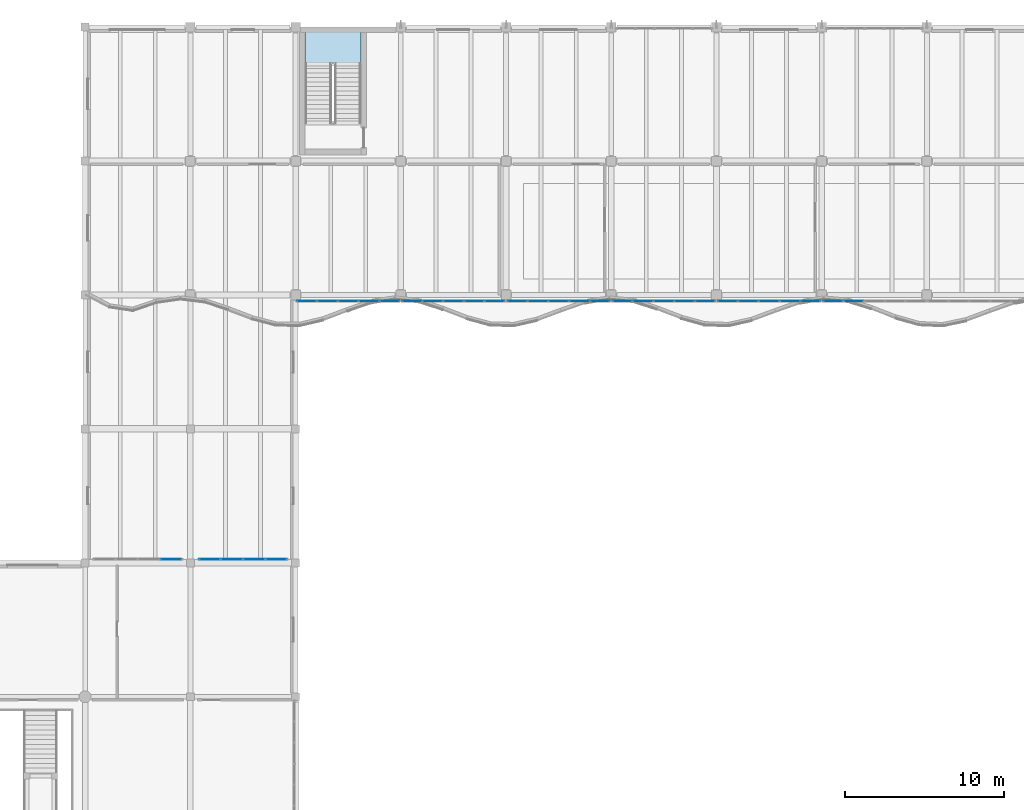
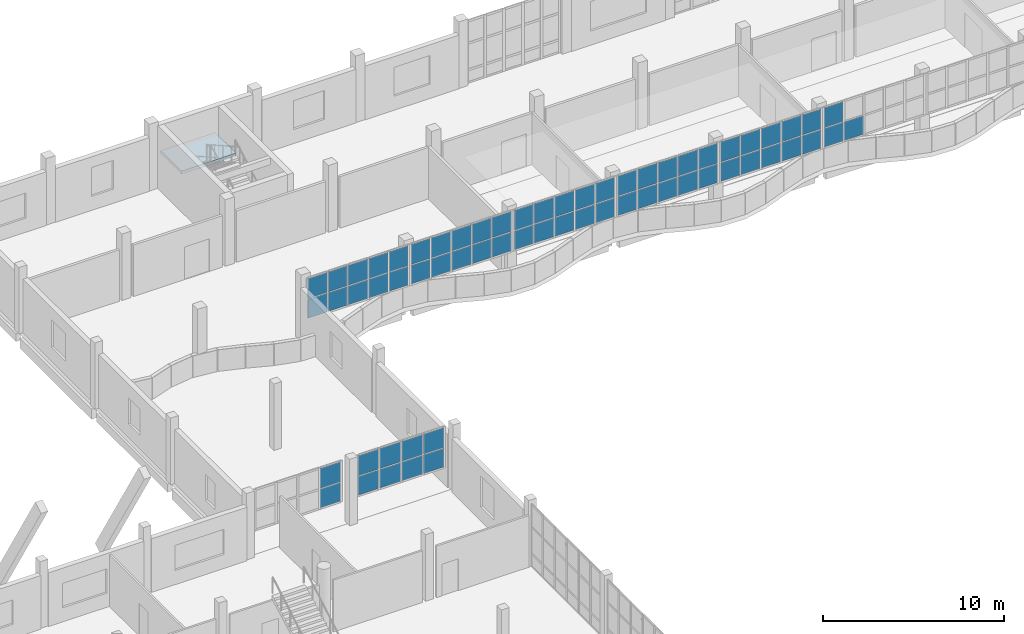
# One storey, part 33 of 76: 63 plates, 1 slab, 9 elements without a shape of their own.
"""IFC4 building model written with IfcOpenShell, lengths in metres."""

import ifcopenshell
import ifcopenshell.guid

model = None  # the IFC model being written
_history = None  # IfcOwnerHistory: only IFC2X3 demands one
_inside = {}  # id of a spatial element -> (the spatial element, [elements in it])
_under = {}  # id of a project, library or spatial element -> (it, [spatial elements below it])
_declared = {}  # id of a project -> (the project, [libraries it declares])
_typed = {}  # id of a type object -> (the type object, [elements of that type])
_made_of = {}  # id of a material, layer set ... -> (it, [elements and type objects made of it])


def new_model(schema):
    """Start an empty IFC model of exactly this schema.

    Asked for "IFC4X3", IfcOpenShell would pick the latest addendum, in which some entities
    have other attributes; the version numbers below select the first issue.
    IFC2X3 requires an IfcOwnerHistory on every rooted entity: one is made here for all.
    """
    global model, _history
    if schema == "IFC4X3":
        model = ifcopenshell.file(schema_version=(4, 3, 0, 0))
    else:
        model = ifcopenshell.file(schema=schema)
    _inside.clear()
    _under.clear()
    _declared.clear()
    _typed.clear()
    _made_of.clear()
    _history = None
    if model.schema == "IFC2X3":
        org = make("IfcOrganization", Name="unknown")
        user = make(
            "IfcPersonAndOrganization",
            ThePerson=make("IfcPerson", FamilyName="unknown"),
            TheOrganization=org,
        )
        app = make(
            "IfcApplication",
            ApplicationDeveloper=org,
            Version="unknown",
            ApplicationFullName="unknown",
            ApplicationIdentifier="unknown",
        )
        _history = make(
            "IfcOwnerHistory",
            OwningUser=user,
            OwningApplication=app,
            ChangeAction="ADDED",
            CreationDate=0,
        )
    return model


def make(cls, **values):
    """One entity of the class cls with the attributes given. An attribute that is None is left unset."""
    return model.create_entity(
        cls, **{name: value for name, value in values.items() if value is not None}
    )


def rooted(cls, **values):
    """An entity with a GlobalId (a new one), such as an element, a storey or a relation."""
    return make(cls, GlobalId=ifcopenshell.guid.new(), OwnerHistory=_history, **values)


def si_unit(unit_type, name, prefix=None):
    """IfcSIUnit, for example si_unit("LENGTHUNIT", "METRE", prefix="MILLI")."""
    return make("IfcSIUnit", UnitType=unit_type, Prefix=prefix, Name=name)


def assignment(units):
    """IfcUnitAssignment: the units of a project."""
    return None if units is None else make("IfcUnitAssignment", Units=units)


def point(xyz):
    """IfcCartesianPoint."""
    return None if xyz is None else make("IfcCartesianPoint", Coordinates=xyz)


def direction(xyz):
    """IfcDirection."""
    return None if xyz is None else make("IfcDirection", DirectionRatios=xyz)


def frame(location, z_axis=None, x_axis=None):
    """IfcAxis2Placement3D, a coordinate frame: its origin and axes. An axis left out is left unset."""
    return make(
        "IfcAxis2Placement3D",
        Location=point(location),
        Axis=direction(z_axis),
        RefDirection=direction(x_axis),
    )


def frame_2d(location, x_axis=None):
    """IfcAxis2Placement2D, a coordinate frame in the plane: its origin and x axis."""
    return make(
        "IfcAxis2Placement2D", Location=point(location), RefDirection=direction(x_axis)
    )


def origin():
    """The frame at (0, 0, 0) with its axes left unset."""
    return frame((0.0, 0.0, 0.0))


def origin_2d():
    """The frame at (0, 0) in the plane with its x axis left unset."""
    return frame_2d((0.0, 0.0))


def place(relative_to, where):
    """IfcLocalPlacement: puts the frame where relative to a parent placement (None: the world)."""
    return make(
        "IfcLocalPlacement", PlacementRelTo=relative_to, RelativePlacement=where
    )


def context(
    kind, dimensions, precision=None, world=None, true_north=None, identifier=None
):
    """IfcGeometricRepresentationContext, for example the 3D "Model" context."""
    return make(
        "IfcGeometricRepresentationContext",
        ContextIdentifier=identifier,
        ContextType=kind,
        CoordinateSpaceDimension=dimensions,
        Precision=precision,
        WorldCoordinateSystem=world,
        TrueNorth=true_north,
    )


def subcontext(parent, identifier, kind, view, scale=None):
    """IfcGeometricRepresentationSubContext, for example "Body" below "Model"."""
    return make(
        "IfcGeometricRepresentationSubContext",
        ContextIdentifier=identifier,
        ContextType=kind,
        ParentContext=parent,
        TargetScale=scale,
        TargetView=view,
    )


def project(units=None, contexts=None):
    """IfcProject with its units and contexts."""
    return rooted(
        "IfcProject",
        Name="project",
        RepresentationContexts=contexts,
        UnitsInContext=assignment(units),
    )


def spatial(cls, under=None, at=None, **own):
    """A site, building, storey or space (cls), placed at a placement, below another one or the project."""
    s = rooted(cls, ObjectPlacement=at, **own)
    if under is not None:
        _under.setdefault(under.id(), (under, []))[1].append(s)
    return s


def polyline(points):
    """IfcPolyline through the points."""
    return make("IfcPolyline", Points=[point(p) for p in points])


def profile(cls, at=None, kind="AREA", **sizes):
    """A parametric profile (cls). Its sizes go by their IFC names, for example OverallWidth=200.0."""
    return make(cls, ProfileType=kind, Position=at, **sizes)


def rectangle(**sizes):
    """IfcRectangleProfileDef."""
    return profile("IfcRectangleProfileDef", **sizes)


def outline(outer, holes=None, kind="AREA"):
    """IfcArbitraryClosedProfileDef: a profile drawn as a closed curve; with holes, ...WithVoids."""
    if holes is None:
        return make("IfcArbitraryClosedProfileDef", ProfileType=kind, OuterCurve=outer)
    return make(
        "IfcArbitraryProfileDefWithVoids",
        ProfileType=kind,
        OuterCurve=outer,
        InnerCurves=holes,
    )


def extrude(swept, where, along, depth):
    """IfcExtrudedAreaSolid: the profile swept, set in the frame where, extruded along a direction by depth."""
    return make(
        "IfcExtrudedAreaSolid",
        SweptArea=swept,
        Position=where,
        ExtrudedDirection=direction(along),
        Depth=depth,
    )


def shape(context_of_items, identifier, shape_type, items):
    """IfcShapeRepresentation: the items that make up one representation, for example the "Body"."""
    return make(
        "IfcShapeRepresentation",
        ContextOfItems=context_of_items,
        RepresentationIdentifier=identifier,
        RepresentationType=shape_type,
        Items=items,
    )


def material(Name=None, Category=None):
    """IfcMaterial."""
    return make("IfcMaterial", Name=Name, Category=Category)


def layer(
    of_material, thickness, ventilated=None, Name=None, Category=None, Priority=None
):
    """IfcMaterialLayer: one layer of a wall or slab, of a material (None: an air gap)."""
    return make(
        "IfcMaterialLayer",
        Material=of_material,
        LayerThickness=thickness,
        IsVentilated=ventilated,
        Name=Name,
        Category=Category,
        Priority=Priority,
    )


def layer_set(layers, Name=None):
    """IfcMaterialLayerSet."""
    return make("IfcMaterialLayerSet", MaterialLayers=layers, LayerSetName=Name)


def made_of(thing, what):
    """Note that an element or type object is made of a material, layer set ...; save() writes the relation."""
    if what is not None:
        _made_of.setdefault(what.id(), (what, []))[1].append(thing)
    return thing


def type_object(cls, material=None, **own):
    """A type object (cls), such as IfcWallType, which elements share."""
    return made_of(rooted(cls, **own), material)


def element(
    cls,
    number,
    at=None,
    inside=None,
    cuts=None,
    type_object=None,
    material=None,
    context=None,
    identifier="Body",
    shape_type=None,
    held_by="IfcProductDefinitionShape",
    body=None,
    shapes=None,
    **own,
):
    """One element of the class cls, such as IfcWall. Its Tag is "e" and its number.

    at: its placement. inside: the storey or other place that contains it. cuts: it is an
    opening in that element (IfcRelVoidsElement). A single representation is given by context,
    identifier, shape_type and body (its items); several are given by shapes. held_by: the class
    of the entity that holds the representations. save() writes the other relations.
    """
    e = rooted(cls, Tag="e%d" % number, ObjectPlacement=at, **own)
    if body is not None:
        shapes = [shape(context, identifier, shape_type, body)]
    if shapes is not None:
        e.Representation = make(held_by, Representations=shapes)
    if inside is not None:
        _inside.setdefault(inside.id(), (inside, []))[1].append(e)
    if cuts is not None:
        rooted(
            "IfcRelVoidsElement", RelatingBuildingElement=cuts, RelatedOpeningElement=e
        )
    if type_object is not None:
        _typed.setdefault(type_object.id(), (type_object, []))[1].append(e)
    return made_of(e, material)


def aggregate(whole, parts):
    """IfcRelAggregates: a whole, such as a stair, and the parts it consists of."""
    return rooted("IfcRelAggregates", RelatingObject=whole, RelatedObjects=parts)


def save(model, path):
    """Write the relations noted so far, then the file.

    IfcRelAggregates (storeys below a building ...), IfcRelContainedInSpatialStructure (elements
    in a storey), IfcRelDefinesByType, IfcRelAssociatesMaterial and IfcRelDeclares: one each for
    every whole, place, type object, material and project.
    """
    for whole, parts in _under.values():
        aggregate(whole, parts)
    for where, things in _inside.values():
        rooted(
            "IfcRelContainedInSpatialStructure",
            RelatedElements=things,
            RelatingStructure=where,
        )
    for kind, things in _typed.values():
        rooted("IfcRelDefinesByType", RelatedObjects=things, RelatingType=kind)
    for what, things in _made_of.values():
        rooted("IfcRelAssociatesMaterial", RelatedObjects=things, RelatingMaterial=what)
    for by, libraries in _declared.values():
        rooted("IfcRelDeclares", RelatingContext=by, RelatedDefinitions=libraries)
    model.write(path)


model = new_model("IFC4")

# Units and contexts
model_context = context("Model", 3, precision=1e-05, world=origin(), true_north=direction((0.0, 1.0)))
body_context = subcontext(model_context, "Body", "Model", "MODEL_VIEW")
ifc_project = project(units=[si_unit("LENGTHUNIT", "METRE"), si_unit("AREAUNIT", "SQUARE_METRE"), si_unit("VOLUMEUNIT", "CUBIC_METRE"), si_unit("PLANEANGLEUNIT", "RADIAN"), si_unit("MASSUNIT", "GRAM", prefix="KILO")], contexts=[model_context])

# Site, building, storey
site_placement = place(None, origin())
site = spatial("IfcSite", under=ifc_project, at=site_placement, CompositionType="ELEMENT")
building_placement = place(site_placement, origin())
building = spatial("IfcBuilding", under=site, at=building_placement, Name="Qaldarim Faculty of Natural and Applied Sciences", CompositionType="ELEMENT")
storey_placement = place(building_placement, frame((0.0, 0.0, 9.89990234375)))
storey = spatial("IfcBuildingStorey", under=building, at=storey_placement, Name="L02", CompositionType="ELEMENT", Elevation=9.89990234375)

# Stair, slab
ifc_material_1 = material(Name="Concrete C40/50", Category="concrete")
stair_type = type_object("IfcStairType", Name="DoglegStair-W1650-H4500-28R", PredefinedType="HALF_TURN_STAIR", material=ifc_material_1)
stair_placement = place(storey_placement, origin())
stair = element("IfcStair", 1, at=stair_placement, inside=storey, type_object=stair_type, Name="Enclosed exit stair ST-B2 L02", PredefinedType="HALF_TURN_STAIR")
ifc_layer_1 = layer(ifc_material_1, 0.2099609375)
ifc_layer_set_1 = layer_set([ifc_layer_1], Name="Concrete C40/50")
slab_type = type_object("IfcSlabType", Name="StairLandingSlab-210", PredefinedType="LANDING", material=ifc_layer_set_1)
slab_placement = place(storey_placement, frame((0.0, 0.0, 2.0400390625)))
slab = element("IfcSlab", 2, at=slab_placement, type_object=slab_type, Name="ST-B2 L02 half-landing 1", PredefinedType="LANDING", context=body_context, shape_type="SweptSolid", body=[
    extrude(outline(polyline([(50.300048828125, 115.2900390625), (50.300048828125, 117.60009765625), (46.800048828125, 117.60009765625), (46.800048828125, 115.2900390625), (50.300048828125, 115.2900390625)])), origin(), (0.0, 0.0, 1.0), 0.2099609375),
])
aggregate(stair, [slab])

# Curtain wall, plates
ifc_material_2 = material(Name="Anodised aluminium AW-6063", Category="aluminium")
curtain_wall_type = type_object("IfcCurtainWallType", Name="CurtainWallSystem-M1400", PredefinedType="USERDEFINED", material=ifc_material_2)
curtain_wall_1_placement = place(storey_placement, origin())
curtain_wall_1 = element("IfcCurtainWall", 3, at=curtain_wall_1_placement, inside=storey, type_object=curtain_wall_type, Name="Curtain wall CW-V4RIB-L02-X06", ObjectType="STICK CURTAIN WALL", PredefinedType="USERDEFINED")
ifc_material_3 = material(Name="Insulated low-e double glazing", Category="glass")
ifc_layer_2 = layer(ifc_material_3, 0.028076171875)
ifc_layer_set_2 = layer_set([ifc_layer_2], Name="Insulated low-e double glazing")
plate_type = type_object("IfcPlateType", Name="VisionGlazingPanel-28", PredefinedType="CURTAIN_PANEL", material=ifc_layer_set_2)
plate_1_placement = place(storey_placement, frame((38.385009765625, 84.219970703125, 1.51025390625), z_axis=(0.0, 0.0, 1.0), x_axis=(1.0, 0.0, 0.0)))
plate_1 = element("IfcPlate", 4, at=plate_1_placement, type_object=plate_type, Name="Glazed panel 4-1 of CW-V4RIB-L02-X06", PredefinedType="CURTAIN_PANEL", context=body_context, shape_type="SweptSolid", body=[
    extrude(rectangle(XDim=1.31005859375, YDim=0.028076171875, at=origin_2d()), origin(), (0.0, 0.0, 1.0), 1.260009765625),
])
plate_2_placement = place(storey_placement, frame((38.385009765625, 84.219970703125, 2.830078125), z_axis=(0.0, 0.0, 1.0), x_axis=(1.0, 0.0, 0.0)))
plate_2 = element("IfcPlate", 5, at=plate_2_placement, type_object=plate_type, Name="Glazed panel 4-2 of CW-V4RIB-L02-X06", PredefinedType="CURTAIN_PANEL", context=body_context, shape_type="SweptSolid", body=[
    extrude(rectangle(XDim=1.31005859375, YDim=0.028076171875, at=origin_2d()), origin(), (0.0, 0.0, 1.0), 1.35009765625),
])
aggregate(curtain_wall_1, [plate_1, plate_2])

curtain_wall_2_placement = place(storey_placement, origin())
curtain_wall_2 = element("IfcCurtainWall", 6, at=curtain_wall_2_placement, inside=storey, type_object=curtain_wall_type, Name="Curtain wall CW-V4RIB-L02-X07", ObjectType="STICK CURTAIN WALL", PredefinedType="USERDEFINED")
plate_3_placement = place(storey_placement, frame((40.81494140625, 84.219970703125, 1.51025390625), z_axis=(0.0, 0.0, 1.0), x_axis=(1.0, 0.0, 0.0)))
plate_3 = element("IfcPlate", 7, at=plate_3_placement, type_object=plate_type, Name="Glazed panel 1-1 of CW-V4RIB-L02-X07", PredefinedType="CURTAIN_PANEL", context=body_context, shape_type="SweptSolid", body=[
    extrude(rectangle(XDim=1.31005859375, YDim=0.028076171875, at=origin_2d()), origin(), (0.0, 0.0, 1.0), 1.260009765625),
])
plate_4_placement = place(storey_placement, frame((40.81494140625, 84.219970703125, 2.830078125), z_axis=(0.0, 0.0, 1.0), x_axis=(1.0, 0.0, 0.0)))
plate_4 = element("IfcPlate", 8, at=plate_4_placement, type_object=plate_type, Name="Glazed panel 1-2 of CW-V4RIB-L02-X07", PredefinedType="CURTAIN_PANEL", context=body_context, shape_type="SweptSolid", body=[
    extrude(rectangle(XDim=1.31005859375, YDim=0.028076171875, at=origin_2d()), origin(), (0.0, 0.0, 1.0), 1.35009765625),
])
plate_5_placement = place(storey_placement, frame((42.199951171875, 84.219970703125, 1.51025390625), z_axis=(0.0, 0.0, 1.0), x_axis=(1.0, 0.0, 0.0)))
plate_5 = element("IfcPlate", 9, at=plate_5_placement, type_object=plate_type, Name="Glazed panel 2-1 of CW-V4RIB-L02-X07", PredefinedType="CURTAIN_PANEL", context=body_context, shape_type="SweptSolid", body=[
    extrude(rectangle(XDim=1.340087890625, YDim=0.028076171875, at=origin_2d()), origin(), (0.0, 0.0, 1.0), 1.260009765625),
])
plate_6_placement = place(storey_placement, frame((42.199951171875, 84.219970703125, 2.830078125), z_axis=(0.0, 0.0, 1.0), x_axis=(1.0, 0.0, 0.0)))
plate_6 = element("IfcPlate", 10, at=plate_6_placement, type_object=plate_type, Name="Glazed panel 2-2 of CW-V4RIB-L02-X07", PredefinedType="CURTAIN_PANEL", context=body_context, shape_type="SweptSolid", body=[
    extrude(rectangle(XDim=1.340087890625, YDim=0.028076171875, at=origin_2d()), origin(), (0.0, 0.0, 1.0), 1.35009765625),
])
plate_7_placement = place(storey_placement, frame((43.60009765625, 84.219970703125, 1.51025390625), z_axis=(0.0, 0.0, 1.0), x_axis=(1.0, 0.0, 0.0)))
plate_7 = element("IfcPlate", 11, at=plate_7_placement, type_object=plate_type, Name="Glazed panel 3-1 of CW-V4RIB-L02-X07", PredefinedType="CURTAIN_PANEL", context=body_context, shape_type="SweptSolid", body=[
    extrude(rectangle(XDim=1.340087890625, YDim=0.028076171875, at=origin_2d()), origin(), (0.0, 0.0, 1.0), 1.260009765625),
])
plate_8_placement = place(storey_placement, frame((43.60009765625, 84.219970703125, 2.830078125), z_axis=(0.0, 0.0, 1.0), x_axis=(1.0, 0.0, 0.0)))
plate_8 = element("IfcPlate", 12, at=plate_8_placement, type_object=plate_type, Name="Glazed panel 3-2 of CW-V4RIB-L02-X07", PredefinedType="CURTAIN_PANEL", context=body_context, shape_type="SweptSolid", body=[
    extrude(rectangle(XDim=1.340087890625, YDim=0.028076171875, at=origin_2d()), origin(), (0.0, 0.0, 1.0), 1.35009765625),
])
plate_9_placement = place(storey_placement, frame((44.985107421875, 84.219970703125, 1.51025390625), z_axis=(0.0, 0.0, 1.0), x_axis=(1.0, 0.0, 0.0)))
plate_9 = element("IfcPlate", 13, at=plate_9_placement, type_object=plate_type, Name="Glazed panel 4-1 of CW-V4RIB-L02-X07", PredefinedType="CURTAIN_PANEL", context=body_context, shape_type="SweptSolid", body=[
    extrude(rectangle(XDim=1.31005859375, YDim=0.028076171875, at=origin_2d()), origin(), (0.0, 0.0, 1.0), 1.260009765625),
])
plate_10_placement = place(storey_placement, frame((44.985107421875, 84.219970703125, 2.830078125), z_axis=(0.0, 0.0, 1.0), x_axis=(1.0, 0.0, 0.0)))
plate_10 = element("IfcPlate", 14, at=plate_10_placement, type_object=plate_type, Name="Glazed panel 4-2 of CW-V4RIB-L02-X07", PredefinedType="CURTAIN_PANEL", context=body_context, shape_type="SweptSolid", body=[
    extrude(rectangle(XDim=1.31005859375, YDim=0.028076171875, at=origin_2d()), origin(), (0.0, 0.0, 1.0), 1.35009765625),
])
aggregate(curtain_wall_2, [plate_3, plate_4, plate_5, plate_6, plate_7, plate_8, plate_9, plate_10])

curtain_wall_3_placement = place(storey_placement, origin())
curtain_wall_3 = element("IfcCurtainWall", 15, at=curtain_wall_3_placement, inside=storey, type_object=curtain_wall_type, Name="Curtain wall CW-V4RIB-L02-X08", ObjectType="STICK CURTAIN WALL", PredefinedType="USERDEFINED")
plate_11_placement = place(storey_placement, frame((46.906982421875, 100.419921875, 1.51025390625), z_axis=(0.0, 0.0, 1.0), x_axis=(1.0, 0.0, 0.0)))
plate_11 = element("IfcPlate", 16, at=plate_11_placement, type_object=plate_type, Name="Glazed panel 1-1 of CW-V4RIB-L02-X08", PredefinedType="CURTAIN_PANEL", context=body_context, shape_type="SweptSolid", body=[
    extrude(rectangle(XDim=1.214111328125, YDim=0.028076171875, at=origin_2d()), origin(), (0.0, 0.0, 1.0), 1.260009765625),
])
plate_12_placement = place(storey_placement, frame((46.906982421875, 100.419921875, 2.830078125), z_axis=(0.0, 0.0, 1.0), x_axis=(1.0, 0.0, 0.0)))
plate_12 = element("IfcPlate", 17, at=plate_12_placement, type_object=plate_type, Name="Glazed panel 1-2 of CW-V4RIB-L02-X08", PredefinedType="CURTAIN_PANEL", context=body_context, shape_type="SweptSolid", body=[
    extrude(rectangle(XDim=1.214111328125, YDim=0.028076171875, at=origin_2d()), origin(), (0.0, 0.0, 1.0), 1.35009765625),
])
plate_13_placement = place(storey_placement, frame((48.196044921875, 100.419921875, 1.51025390625), z_axis=(0.0, 0.0, 1.0), x_axis=(1.0, 0.0, 0.0)))
plate_13 = element("IfcPlate", 18, at=plate_13_placement, type_object=plate_type, Name="Glazed panel 2-1 of CW-V4RIB-L02-X08", PredefinedType="CURTAIN_PANEL", context=body_context, shape_type="SweptSolid", body=[
    extrude(rectangle(XDim=1.243896484375, YDim=0.028076171875, at=origin_2d()), origin(), (0.0, 0.0, 1.0), 1.260009765625),
])
plate_14_placement = place(storey_placement, frame((48.196044921875, 100.419921875, 2.830078125), z_axis=(0.0, 0.0, 1.0), x_axis=(1.0, 0.0, 0.0)))
plate_14 = element("IfcPlate", 19, at=plate_14_placement, type_object=plate_type, Name="Glazed panel 2-2 of CW-V4RIB-L02-X08", PredefinedType="CURTAIN_PANEL", context=body_context, shape_type="SweptSolid", body=[
    extrude(rectangle(XDim=1.243896484375, YDim=0.028076171875, at=origin_2d()), origin(), (0.0, 0.0, 1.0), 1.35009765625),
])
plate_15_placement = place(storey_placement, frame((49.5, 100.419921875, 1.51025390625), z_axis=(0.0, 0.0, 1.0), x_axis=(1.0, 0.0, 0.0)))
plate_15 = element("IfcPlate", 20, at=plate_15_placement, type_object=plate_type, Name="Glazed panel 3-1 of CW-V4RIB-L02-X08", PredefinedType="CURTAIN_PANEL", context=body_context, shape_type="SweptSolid", body=[
    extrude(rectangle(XDim=1.243896484375, YDim=0.028076171875, at=origin_2d()), origin(), (0.0, 0.0, 1.0), 1.260009765625),
])
plate_16_placement = place(storey_placement, frame((49.5, 100.419921875, 2.830078125), z_axis=(0.0, 0.0, 1.0), x_axis=(1.0, 0.0, 0.0)))
plate_16 = element("IfcPlate", 21, at=plate_16_placement, type_object=plate_type, Name="Glazed panel 3-2 of CW-V4RIB-L02-X08", PredefinedType="CURTAIN_PANEL", context=body_context, shape_type="SweptSolid", body=[
    extrude(rectangle(XDim=1.243896484375, YDim=0.028076171875, at=origin_2d()), origin(), (0.0, 0.0, 1.0), 1.35009765625),
])
plate_17_placement = place(storey_placement, frame((50.803955078125, 100.419921875, 1.51025390625), z_axis=(0.0, 0.0, 1.0), x_axis=(1.0, 0.0, 0.0)))
plate_17 = element("IfcPlate", 22, at=plate_17_placement, type_object=plate_type, Name="Glazed panel 4-1 of CW-V4RIB-L02-X08", PredefinedType="CURTAIN_PANEL", context=body_context, shape_type="SweptSolid", body=[
    extrude(rectangle(XDim=1.243896484375, YDim=0.028076171875, at=origin_2d()), origin(), (0.0, 0.0, 1.0), 1.260009765625),
])
plate_18_placement = place(storey_placement, frame((50.803955078125, 100.419921875, 2.830078125), z_axis=(0.0, 0.0, 1.0), x_axis=(1.0, 0.0, 0.0)))
plate_18 = element("IfcPlate", 23, at=plate_18_placement, type_object=plate_type, Name="Glazed panel 4-2 of CW-V4RIB-L02-X08", PredefinedType="CURTAIN_PANEL", context=body_context, shape_type="SweptSolid", body=[
    extrude(rectangle(XDim=1.243896484375, YDim=0.028076171875, at=origin_2d()), origin(), (0.0, 0.0, 1.0), 1.35009765625),
])
plate_19_placement = place(storey_placement, frame((52.093017578125, 100.419921875, 1.51025390625), z_axis=(0.0, 0.0, 1.0), x_axis=(1.0, 0.0, 0.0)))
plate_19 = element("IfcPlate", 24, at=plate_19_placement, type_object=plate_type, Name="Glazed panel 5-1 of CW-V4RIB-L02-X08", PredefinedType="CURTAIN_PANEL", context=body_context, shape_type="SweptSolid", body=[
    extrude(rectangle(XDim=1.214111328125, YDim=0.028076171875, at=origin_2d()), origin(), (0.0, 0.0, 1.0), 1.260009765625),
])
plate_20_placement = place(storey_placement, frame((52.093017578125, 100.419921875, 2.830078125), z_axis=(0.0, 0.0, 1.0), x_axis=(1.0, 0.0, 0.0)))
plate_20 = element("IfcPlate", 25, at=plate_20_placement, type_object=plate_type, Name="Glazed panel 5-2 of CW-V4RIB-L02-X08", PredefinedType="CURTAIN_PANEL", context=body_context, shape_type="SweptSolid", body=[
    extrude(rectangle(XDim=1.214111328125, YDim=0.028076171875, at=origin_2d()), origin(), (0.0, 0.0, 1.0), 1.35009765625),
])
aggregate(curtain_wall_3, [plate_11, plate_12, plate_13, plate_14, plate_15, plate_16, plate_17, plate_18, plate_19, plate_20])

curtain_wall_4_placement = place(storey_placement, origin())
curtain_wall_4 = element("IfcCurtainWall", 26, at=curtain_wall_4_placement, inside=storey, type_object=curtain_wall_type, Name="Curtain wall CW-V4RIB-L02-X09", ObjectType="STICK CURTAIN WALL", PredefinedType="USERDEFINED")
plate_21_placement = place(storey_placement, frame((53.507080078125, 100.419921875, 1.51025390625), z_axis=(0.0, 0.0, 1.0), x_axis=(1.0, 0.0, 0.0)))
plate_21 = element("IfcPlate", 27, at=plate_21_placement, type_object=plate_type, Name="Glazed panel 1-1 of CW-V4RIB-L02-X09", PredefinedType="CURTAIN_PANEL", context=body_context, shape_type="SweptSolid", body=[
    extrude(rectangle(XDim=1.214111328125, YDim=0.028076171875, at=origin_2d()), origin(), (0.0, 0.0, 1.0), 1.260009765625),
])
plate_22_placement = place(storey_placement, frame((53.507080078125, 100.419921875, 2.830078125), z_axis=(0.0, 0.0, 1.0), x_axis=(1.0, 0.0, 0.0)))
plate_22 = element("IfcPlate", 28, at=plate_22_placement, type_object=plate_type, Name="Glazed panel 1-2 of CW-V4RIB-L02-X09", PredefinedType="CURTAIN_PANEL", context=body_context, shape_type="SweptSolid", body=[
    extrude(rectangle(XDim=1.214111328125, YDim=0.028076171875, at=origin_2d()), origin(), (0.0, 0.0, 1.0), 1.35009765625),
])
plate_23_placement = place(storey_placement, frame((54.7958984375, 100.419921875, 1.51025390625), z_axis=(0.0, 0.0, 1.0), x_axis=(1.0, 0.0, 0.0)))
plate_23 = element("IfcPlate", 29, at=plate_23_placement, type_object=plate_type, Name="Glazed panel 2-1 of CW-V4RIB-L02-X09", PredefinedType="CURTAIN_PANEL", context=body_context, shape_type="SweptSolid", body=[
    extrude(rectangle(XDim=1.243896484375, YDim=0.028076171875, at=origin_2d()), origin(), (0.0, 0.0, 1.0), 1.260009765625),
])
plate_24_placement = place(storey_placement, frame((54.7958984375, 100.419921875, 2.830078125), z_axis=(0.0, 0.0, 1.0), x_axis=(1.0, 0.0, 0.0)))
plate_24 = element("IfcPlate", 30, at=plate_24_placement, type_object=plate_type, Name="Glazed panel 2-2 of CW-V4RIB-L02-X09", PredefinedType="CURTAIN_PANEL", context=body_context, shape_type="SweptSolid", body=[
    extrude(rectangle(XDim=1.243896484375, YDim=0.028076171875, at=origin_2d()), origin(), (0.0, 0.0, 1.0), 1.35009765625),
])
plate_25_placement = place(storey_placement, frame((56.10009765625, 100.419921875, 1.51025390625), z_axis=(0.0, 0.0, 1.0), x_axis=(1.0, 0.0, 0.0)))
plate_25 = element("IfcPlate", 31, at=plate_25_placement, type_object=plate_type, Name="Glazed panel 3-1 of CW-V4RIB-L02-X09", PredefinedType="CURTAIN_PANEL", context=body_context, shape_type="SweptSolid", body=[
    extrude(rectangle(XDim=1.243896484375, YDim=0.028076171875, at=origin_2d()), origin(), (0.0, 0.0, 1.0), 1.260009765625),
])
plate_26_placement = place(storey_placement, frame((56.10009765625, 100.419921875, 2.830078125), z_axis=(0.0, 0.0, 1.0), x_axis=(1.0, 0.0, 0.0)))
plate_26 = element("IfcPlate", 32, at=plate_26_placement, type_object=plate_type, Name="Glazed panel 3-2 of CW-V4RIB-L02-X09", PredefinedType="CURTAIN_PANEL", context=body_context, shape_type="SweptSolid", body=[
    extrude(rectangle(XDim=1.243896484375, YDim=0.028076171875, at=origin_2d()), origin(), (0.0, 0.0, 1.0), 1.35009765625),
])
plate_27_placement = place(storey_placement, frame((57.404052734375, 100.419921875, 1.51025390625), z_axis=(0.0, 0.0, 1.0), x_axis=(1.0, 0.0, 0.0)))
plate_27 = element("IfcPlate", 33, at=plate_27_placement, type_object=plate_type, Name="Glazed panel 4-1 of CW-V4RIB-L02-X09", PredefinedType="CURTAIN_PANEL", context=body_context, shape_type="SweptSolid", body=[
    extrude(rectangle(XDim=1.243896484375, YDim=0.028076171875, at=origin_2d()), origin(), (0.0, 0.0, 1.0), 1.260009765625),
])
plate_28_placement = place(storey_placement, frame((57.404052734375, 100.419921875, 2.830078125), z_axis=(0.0, 0.0, 1.0), x_axis=(1.0, 0.0, 0.0)))
plate_28 = element("IfcPlate", 34, at=plate_28_placement, type_object=plate_type, Name="Glazed panel 4-2 of CW-V4RIB-L02-X09", PredefinedType="CURTAIN_PANEL", context=body_context, shape_type="SweptSolid", body=[
    extrude(rectangle(XDim=1.243896484375, YDim=0.028076171875, at=origin_2d()), origin(), (0.0, 0.0, 1.0), 1.35009765625),
])
plate_29_placement = place(storey_placement, frame((58.693115234375, 100.419921875, 1.51025390625), z_axis=(0.0, 0.0, 1.0), x_axis=(1.0, 0.0, 0.0)))
plate_29 = element("IfcPlate", 35, at=plate_29_placement, type_object=plate_type, Name="Glazed panel 5-1 of CW-V4RIB-L02-X09", PredefinedType="CURTAIN_PANEL", context=body_context, shape_type="SweptSolid", body=[
    extrude(rectangle(XDim=1.214111328125, YDim=0.028076171875, at=origin_2d()), origin(), (0.0, 0.0, 1.0), 1.260009765625),
])
plate_30_placement = place(storey_placement, frame((58.693115234375, 100.419921875, 2.830078125), z_axis=(0.0, 0.0, 1.0), x_axis=(1.0, 0.0, 0.0)))
plate_30 = element("IfcPlate", 36, at=plate_30_placement, type_object=plate_type, Name="Glazed panel 5-2 of CW-V4RIB-L02-X09", PredefinedType="CURTAIN_PANEL", context=body_context, shape_type="SweptSolid", body=[
    extrude(rectangle(XDim=1.214111328125, YDim=0.028076171875, at=origin_2d()), origin(), (0.0, 0.0, 1.0), 1.35009765625),
])
aggregate(curtain_wall_4, [plate_21, plate_22, plate_23, plate_24, plate_25, plate_26, plate_27, plate_28, plate_29, plate_30])

curtain_wall_5_placement = place(storey_placement, origin())
curtain_wall_5 = element("IfcCurtainWall", 37, at=curtain_wall_5_placement, inside=storey, type_object=curtain_wall_type, Name="Curtain wall CW-V4RIB-L02-X10", ObjectType="STICK CURTAIN WALL", PredefinedType="USERDEFINED")
plate_31_placement = place(storey_placement, frame((60.10693359375, 100.419921875, 1.51025390625), z_axis=(0.0, 0.0, 1.0), x_axis=(1.0, 0.0, 0.0)))
plate_31 = element("IfcPlate", 38, at=plate_31_placement, type_object=plate_type, Name="Glazed panel 1-1 of CW-V4RIB-L02-X10", PredefinedType="CURTAIN_PANEL", context=body_context, shape_type="SweptSolid", body=[
    extrude(rectangle(XDim=1.214111328125, YDim=0.028076171875, at=origin_2d()), origin(), (0.0, 0.0, 1.0), 1.260009765625),
])
plate_32_placement = place(storey_placement, frame((60.10693359375, 100.419921875, 2.830078125), z_axis=(0.0, 0.0, 1.0), x_axis=(1.0, 0.0, 0.0)))
plate_32 = element("IfcPlate", 39, at=plate_32_placement, type_object=plate_type, Name="Glazed panel 1-2 of CW-V4RIB-L02-X10", PredefinedType="CURTAIN_PANEL", context=body_context, shape_type="SweptSolid", body=[
    extrude(rectangle(XDim=1.214111328125, YDim=0.028076171875, at=origin_2d()), origin(), (0.0, 0.0, 1.0), 1.35009765625),
])
plate_33_placement = place(storey_placement, frame((61.39599609375, 100.419921875, 1.51025390625), z_axis=(0.0, 0.0, 1.0), x_axis=(1.0, 0.0, 0.0)))
plate_33 = element("IfcPlate", 40, at=plate_33_placement, type_object=plate_type, Name="Glazed panel 2-1 of CW-V4RIB-L02-X10", PredefinedType="CURTAIN_PANEL", context=body_context, shape_type="SweptSolid", body=[
    extrude(rectangle(XDim=1.243896484375, YDim=0.028076171875, at=origin_2d()), origin(), (0.0, 0.0, 1.0), 1.260009765625),
])
plate_34_placement = place(storey_placement, frame((61.39599609375, 100.419921875, 2.830078125), z_axis=(0.0, 0.0, 1.0), x_axis=(1.0, 0.0, 0.0)))
plate_34 = element("IfcPlate", 41, at=plate_34_placement, type_object=plate_type, Name="Glazed panel 2-2 of CW-V4RIB-L02-X10", PredefinedType="CURTAIN_PANEL", context=body_context, shape_type="SweptSolid", body=[
    extrude(rectangle(XDim=1.243896484375, YDim=0.028076171875, at=origin_2d()), origin(), (0.0, 0.0, 1.0), 1.35009765625),
])
plate_35_placement = place(storey_placement, frame((62.699951171875, 100.419921875, 1.51025390625), z_axis=(0.0, 0.0, 1.0), x_axis=(1.0, 0.0, 0.0)))
plate_35 = element("IfcPlate", 42, at=plate_35_placement, type_object=plate_type, Name="Glazed panel 3-1 of CW-V4RIB-L02-X10", PredefinedType="CURTAIN_PANEL", context=body_context, shape_type="SweptSolid", body=[
    extrude(rectangle(XDim=1.243896484375, YDim=0.028076171875, at=origin_2d()), origin(), (0.0, 0.0, 1.0), 1.260009765625),
])
plate_36_placement = place(storey_placement, frame((62.699951171875, 100.419921875, 2.830078125), z_axis=(0.0, 0.0, 1.0), x_axis=(1.0, 0.0, 0.0)))
plate_36 = element("IfcPlate", 43, at=plate_36_placement, type_object=plate_type, Name="Glazed panel 3-2 of CW-V4RIB-L02-X10", PredefinedType="CURTAIN_PANEL", context=body_context, shape_type="SweptSolid", body=[
    extrude(rectangle(XDim=1.243896484375, YDim=0.028076171875, at=origin_2d()), origin(), (0.0, 0.0, 1.0), 1.35009765625),
])
plate_37_placement = place(storey_placement, frame((64.00390625, 100.419921875, 1.51025390625), z_axis=(0.0, 0.0, 1.0), x_axis=(1.0, 0.0, 0.0)))
plate_37 = element("IfcPlate", 44, at=plate_37_placement, type_object=plate_type, Name="Glazed panel 4-1 of CW-V4RIB-L02-X10", PredefinedType="CURTAIN_PANEL", context=body_context, shape_type="SweptSolid", body=[
    extrude(rectangle(XDim=1.243896484375, YDim=0.028076171875, at=origin_2d()), origin(), (0.0, 0.0, 1.0), 1.260009765625),
])
plate_38_placement = place(storey_placement, frame((64.00390625, 100.419921875, 2.830078125), z_axis=(0.0, 0.0, 1.0), x_axis=(1.0, 0.0, 0.0)))
plate_38 = element("IfcPlate", 45, at=plate_38_placement, type_object=plate_type, Name="Glazed panel 4-2 of CW-V4RIB-L02-X10", PredefinedType="CURTAIN_PANEL", context=body_context, shape_type="SweptSolid", body=[
    extrude(rectangle(XDim=1.243896484375, YDim=0.028076171875, at=origin_2d()), origin(), (0.0, 0.0, 1.0), 1.35009765625),
])
plate_39_placement = place(storey_placement, frame((65.29296875, 100.419921875, 1.51025390625), z_axis=(0.0, 0.0, 1.0), x_axis=(1.0, 0.0, 0.0)))
plate_39 = element("IfcPlate", 46, at=plate_39_placement, type_object=plate_type, Name="Glazed panel 5-1 of CW-V4RIB-L02-X10", PredefinedType="CURTAIN_PANEL", context=body_context, shape_type="SweptSolid", body=[
    extrude(rectangle(XDim=1.214111328125, YDim=0.028076171875, at=origin_2d()), origin(), (0.0, 0.0, 1.0), 1.260009765625),
])
plate_40_placement = place(storey_placement, frame((65.29296875, 100.419921875, 2.830078125), z_axis=(0.0, 0.0, 1.0), x_axis=(1.0, 0.0, 0.0)))
plate_40 = element("IfcPlate", 47, at=plate_40_placement, type_object=plate_type, Name="Glazed panel 5-2 of CW-V4RIB-L02-X10", PredefinedType="CURTAIN_PANEL", context=body_context, shape_type="SweptSolid", body=[
    extrude(rectangle(XDim=1.214111328125, YDim=0.028076171875, at=origin_2d()), origin(), (0.0, 0.0, 1.0), 1.35009765625),
])
aggregate(curtain_wall_5, [plate_31, plate_32, plate_33, plate_34, plate_35, plate_36, plate_37, plate_38, plate_39, plate_40])

curtain_wall_6_placement = place(storey_placement, origin())
curtain_wall_6 = element("IfcCurtainWall", 48, at=curtain_wall_6_placement, inside=storey, type_object=curtain_wall_type, Name="Curtain wall CW-V4RIB-L02-X11", ObjectType="STICK CURTAIN WALL", PredefinedType="USERDEFINED")
plate_41_placement = place(storey_placement, frame((66.70703125, 100.419921875, 1.51025390625), z_axis=(0.0, 0.0, 1.0), x_axis=(1.0, 0.0, 0.0)))
plate_41 = element("IfcPlate", 49, at=plate_41_placement, type_object=plate_type, Name="Glazed panel 1-1 of CW-V4RIB-L02-X11", PredefinedType="CURTAIN_PANEL", context=body_context, shape_type="SweptSolid", body=[
    extrude(rectangle(XDim=1.214111328125, YDim=0.028076171875, at=origin_2d()), origin(), (0.0, 0.0, 1.0), 1.260009765625),
])
plate_42_placement = place(storey_placement, frame((66.70703125, 100.419921875, 2.830078125), z_axis=(0.0, 0.0, 1.0), x_axis=(1.0, 0.0, 0.0)))
plate_42 = element("IfcPlate", 50, at=plate_42_placement, type_object=plate_type, Name="Glazed panel 1-2 of CW-V4RIB-L02-X11", PredefinedType="CURTAIN_PANEL", context=body_context, shape_type="SweptSolid", body=[
    extrude(rectangle(XDim=1.214111328125, YDim=0.028076171875, at=origin_2d()), origin(), (0.0, 0.0, 1.0), 1.35009765625),
])
plate_43_placement = place(storey_placement, frame((67.99609375, 100.419921875, 1.51025390625), z_axis=(0.0, 0.0, 1.0), x_axis=(1.0, 0.0, 0.0)))
plate_43 = element("IfcPlate", 51, at=plate_43_placement, type_object=plate_type, Name="Glazed panel 2-1 of CW-V4RIB-L02-X11", PredefinedType="CURTAIN_PANEL", context=body_context, shape_type="SweptSolid", body=[
    extrude(rectangle(XDim=1.243896484375, YDim=0.028076171875, at=origin_2d()), origin(), (0.0, 0.0, 1.0), 1.260009765625),
])
plate_44_placement = place(storey_placement, frame((67.99609375, 100.419921875, 2.830078125), z_axis=(0.0, 0.0, 1.0), x_axis=(1.0, 0.0, 0.0)))
plate_44 = element("IfcPlate", 52, at=plate_44_placement, type_object=plate_type, Name="Glazed panel 2-2 of CW-V4RIB-L02-X11", PredefinedType="CURTAIN_PANEL", context=body_context, shape_type="SweptSolid", body=[
    extrude(rectangle(XDim=1.243896484375, YDim=0.028076171875, at=origin_2d()), origin(), (0.0, 0.0, 1.0), 1.35009765625),
])
plate_45_placement = place(storey_placement, frame((69.300048828125, 100.419921875, 1.51025390625), z_axis=(0.0, 0.0, 1.0), x_axis=(1.0, 0.0, 0.0)))
plate_45 = element("IfcPlate", 53, at=plate_45_placement, type_object=plate_type, Name="Glazed panel 3-1 of CW-V4RIB-L02-X11", PredefinedType="CURTAIN_PANEL", context=body_context, shape_type="SweptSolid", body=[
    extrude(rectangle(XDim=1.243896484375, YDim=0.028076171875, at=origin_2d()), origin(), (0.0, 0.0, 1.0), 1.260009765625),
])
plate_46_placement = place(storey_placement, frame((69.300048828125, 100.419921875, 2.830078125), z_axis=(0.0, 0.0, 1.0), x_axis=(1.0, 0.0, 0.0)))
plate_46 = element("IfcPlate", 54, at=plate_46_placement, type_object=plate_type, Name="Glazed panel 3-2 of CW-V4RIB-L02-X11", PredefinedType="CURTAIN_PANEL", context=body_context, shape_type="SweptSolid", body=[
    extrude(rectangle(XDim=1.243896484375, YDim=0.028076171875, at=origin_2d()), origin(), (0.0, 0.0, 1.0), 1.35009765625),
])
plate_47_placement = place(storey_placement, frame((70.60400390625, 100.419921875, 1.51025390625), z_axis=(0.0, 0.0, 1.0), x_axis=(1.0, 0.0, 0.0)))
plate_47 = element("IfcPlate", 55, at=plate_47_placement, type_object=plate_type, Name="Glazed panel 4-1 of CW-V4RIB-L02-X11", PredefinedType="CURTAIN_PANEL", context=body_context, shape_type="SweptSolid", body=[
    extrude(rectangle(XDim=1.243896484375, YDim=0.028076171875, at=origin_2d()), origin(), (0.0, 0.0, 1.0), 1.260009765625),
])
plate_48_placement = place(storey_placement, frame((70.60400390625, 100.419921875, 2.830078125), z_axis=(0.0, 0.0, 1.0), x_axis=(1.0, 0.0, 0.0)))
plate_48 = element("IfcPlate", 56, at=plate_48_placement, type_object=plate_type, Name="Glazed panel 4-2 of CW-V4RIB-L02-X11", PredefinedType="CURTAIN_PANEL", context=body_context, shape_type="SweptSolid", body=[
    extrude(rectangle(XDim=1.243896484375, YDim=0.028076171875, at=origin_2d()), origin(), (0.0, 0.0, 1.0), 1.35009765625),
])
plate_49_placement = place(storey_placement, frame((71.89306640625, 100.419921875, 1.51025390625), z_axis=(0.0, 0.0, 1.0), x_axis=(1.0, 0.0, 0.0)))
plate_49 = element("IfcPlate", 57, at=plate_49_placement, type_object=plate_type, Name="Glazed panel 5-1 of CW-V4RIB-L02-X11", PredefinedType="CURTAIN_PANEL", context=body_context, shape_type="SweptSolid", body=[
    extrude(rectangle(XDim=1.214111328125, YDim=0.028076171875, at=origin_2d()), origin(), (0.0, 0.0, 1.0), 1.260009765625),
])
plate_50_placement = place(storey_placement, frame((71.89306640625, 100.419921875, 2.830078125), z_axis=(0.0, 0.0, 1.0), x_axis=(1.0, 0.0, 0.0)))
plate_50 = element("IfcPlate", 58, at=plate_50_placement, type_object=plate_type, Name="Glazed panel 5-2 of CW-V4RIB-L02-X11", PredefinedType="CURTAIN_PANEL", context=body_context, shape_type="SweptSolid", body=[
    extrude(rectangle(XDim=1.214111328125, YDim=0.028076171875, at=origin_2d()), origin(), (0.0, 0.0, 1.0), 1.35009765625),
])
aggregate(curtain_wall_6, [plate_41, plate_42, plate_43, plate_44, plate_45, plate_46, plate_47, plate_48, plate_49, plate_50])

curtain_wall_7_placement = place(storey_placement, origin())
curtain_wall_7 = element("IfcCurtainWall", 59, at=curtain_wall_7_placement, inside=storey, type_object=curtain_wall_type, Name="Curtain wall CW-V4RIB-L02-X12", ObjectType="STICK CURTAIN WALL", PredefinedType="USERDEFINED")
plate_51_placement = place(storey_placement, frame((73.306884765625, 100.419921875, 1.51025390625), z_axis=(0.0, 0.0, 1.0), x_axis=(1.0, 0.0, 0.0)))
plate_51 = element("IfcPlate", 60, at=plate_51_placement, type_object=plate_type, Name="Glazed panel 1-1 of CW-V4RIB-L02-X12", PredefinedType="CURTAIN_PANEL", context=body_context, shape_type="SweptSolid", body=[
    extrude(rectangle(XDim=1.214111328125, YDim=0.028076171875, at=origin_2d()), origin(), (0.0, 0.0, 1.0), 1.260009765625),
])
plate_52_placement = place(storey_placement, frame((73.306884765625, 100.419921875, 2.830078125), z_axis=(0.0, 0.0, 1.0), x_axis=(1.0, 0.0, 0.0)))
plate_52 = element("IfcPlate", 61, at=plate_52_placement, type_object=plate_type, Name="Glazed panel 1-2 of CW-V4RIB-L02-X12", PredefinedType="CURTAIN_PANEL", context=body_context, shape_type="SweptSolid", body=[
    extrude(rectangle(XDim=1.214111328125, YDim=0.028076171875, at=origin_2d()), origin(), (0.0, 0.0, 1.0), 1.35009765625),
])
plate_53_placement = place(storey_placement, frame((74.595947265625, 100.419921875, 1.51025390625), z_axis=(0.0, 0.0, 1.0), x_axis=(1.0, 0.0, 0.0)))
plate_53 = element("IfcPlate", 62, at=plate_53_placement, type_object=plate_type, Name="Glazed panel 2-1 of CW-V4RIB-L02-X12", PredefinedType="CURTAIN_PANEL", context=body_context, shape_type="SweptSolid", body=[
    extrude(rectangle(XDim=1.243896484375, YDim=0.028076171875, at=origin_2d()), origin(), (0.0, 0.0, 1.0), 1.260009765625),
])
plate_54_placement = place(storey_placement, frame((74.595947265625, 100.419921875, 2.830078125), z_axis=(0.0, 0.0, 1.0), x_axis=(1.0, 0.0, 0.0)))
plate_54 = element("IfcPlate", 63, at=plate_54_placement, type_object=plate_type, Name="Glazed panel 2-2 of CW-V4RIB-L02-X12", PredefinedType="CURTAIN_PANEL", context=body_context, shape_type="SweptSolid", body=[
    extrude(rectangle(XDim=1.243896484375, YDim=0.028076171875, at=origin_2d()), origin(), (0.0, 0.0, 1.0), 1.35009765625),
])
plate_55_placement = place(storey_placement, frame((75.89990234375, 100.419921875, 1.51025390625), z_axis=(0.0, 0.0, 1.0), x_axis=(1.0, 0.0, 0.0)))
plate_55 = element("IfcPlate", 64, at=plate_55_placement, type_object=plate_type, Name="Glazed panel 3-1 of CW-V4RIB-L02-X12", PredefinedType="CURTAIN_PANEL", context=body_context, shape_type="SweptSolid", body=[
    extrude(rectangle(XDim=1.243896484375, YDim=0.028076171875, at=origin_2d()), origin(), (0.0, 0.0, 1.0), 1.260009765625),
])
plate_56_placement = place(storey_placement, frame((75.89990234375, 100.419921875, 2.830078125), z_axis=(0.0, 0.0, 1.0), x_axis=(1.0, 0.0, 0.0)))
plate_56 = element("IfcPlate", 65, at=plate_56_placement, type_object=plate_type, Name="Glazed panel 3-2 of CW-V4RIB-L02-X12", PredefinedType="CURTAIN_PANEL", context=body_context, shape_type="SweptSolid", body=[
    extrude(rectangle(XDim=1.243896484375, YDim=0.028076171875, at=origin_2d()), origin(), (0.0, 0.0, 1.0), 1.35009765625),
])
plate_57_placement = place(storey_placement, frame((77.2041015625, 100.419921875, 1.51025390625), z_axis=(0.0, 0.0, 1.0), x_axis=(1.0, 0.0, 0.0)))
plate_57 = element("IfcPlate", 66, at=plate_57_placement, type_object=plate_type, Name="Glazed panel 4-1 of CW-V4RIB-L02-X12", PredefinedType="CURTAIN_PANEL", context=body_context, shape_type="SweptSolid", body=[
    extrude(rectangle(XDim=1.243896484375, YDim=0.028076171875, at=origin_2d()), origin(), (0.0, 0.0, 1.0), 1.260009765625),
])
plate_58_placement = place(storey_placement, frame((77.2041015625, 100.419921875, 2.830078125), z_axis=(0.0, 0.0, 1.0), x_axis=(1.0, 0.0, 0.0)))
plate_58 = element("IfcPlate", 67, at=plate_58_placement, type_object=plate_type, Name="Glazed panel 4-2 of CW-V4RIB-L02-X12", PredefinedType="CURTAIN_PANEL", context=body_context, shape_type="SweptSolid", body=[
    extrude(rectangle(XDim=1.243896484375, YDim=0.028076171875, at=origin_2d()), origin(), (0.0, 0.0, 1.0), 1.35009765625),
])
plate_59_placement = place(storey_placement, frame((78.492919921875, 100.419921875, 1.51025390625), z_axis=(0.0, 0.0, 1.0), x_axis=(1.0, 0.0, 0.0)))
plate_59 = element("IfcPlate", 68, at=plate_59_placement, type_object=plate_type, Name="Glazed panel 5-1 of CW-V4RIB-L02-X12", PredefinedType="CURTAIN_PANEL", context=body_context, shape_type="SweptSolid", body=[
    extrude(rectangle(XDim=1.214111328125, YDim=0.028076171875, at=origin_2d()), origin(), (0.0, 0.0, 1.0), 1.260009765625),
])
plate_60_placement = place(storey_placement, frame((78.492919921875, 100.419921875, 2.830078125), z_axis=(0.0, 0.0, 1.0), x_axis=(1.0, 0.0, 0.0)))
plate_60 = element("IfcPlate", 69, at=plate_60_placement, type_object=plate_type, Name="Glazed panel 5-2 of CW-V4RIB-L02-X12", PredefinedType="CURTAIN_PANEL", context=body_context, shape_type="SweptSolid", body=[
    extrude(rectangle(XDim=1.214111328125, YDim=0.028076171875, at=origin_2d()), origin(), (0.0, 0.0, 1.0), 1.35009765625),
])
aggregate(curtain_wall_7, [plate_51, plate_52, plate_53, plate_54, plate_55, plate_56, plate_57, plate_58, plate_59, plate_60])

curtain_wall_8_placement = place(storey_placement, origin())
curtain_wall_8 = element("IfcCurtainWall", 70, at=curtain_wall_8_placement, inside=storey, type_object=curtain_wall_type, Name="Curtain wall CW-V4RIB-L02-X13", ObjectType="STICK CURTAIN WALL", PredefinedType="USERDEFINED")
plate_61_placement = place(storey_placement, frame((79.906982421875, 100.419921875, 1.51025390625), z_axis=(0.0, 0.0, 1.0), x_axis=(1.0, 0.0, 0.0)))
plate_61 = element("IfcPlate", 71, at=plate_61_placement, type_object=plate_type, Name="Glazed panel 1-1 of CW-V4RIB-L02-X13", PredefinedType="CURTAIN_PANEL", context=body_context, shape_type="SweptSolid", body=[
    extrude(rectangle(XDim=1.214111328125, YDim=0.028076171875, at=origin_2d()), origin(), (0.0, 0.0, 1.0), 1.260009765625),
])
plate_62_placement = place(storey_placement, frame((79.906982421875, 100.419921875, 2.830078125), z_axis=(0.0, 0.0, 1.0), x_axis=(1.0, 0.0, 0.0)))
plate_62 = element("IfcPlate", 72, at=plate_62_placement, type_object=plate_type, Name="Glazed panel 1-2 of CW-V4RIB-L02-X13", PredefinedType="CURTAIN_PANEL", context=body_context, shape_type="SweptSolid", body=[
    extrude(rectangle(XDim=1.214111328125, YDim=0.028076171875, at=origin_2d()), origin(), (0.0, 0.0, 1.0), 1.35009765625),
])
plate_63_placement = place(storey_placement, frame((81.196044921875, 100.419921875, 1.51025390625), z_axis=(0.0, 0.0, 1.0), x_axis=(1.0, 0.0, 0.0)))
plate_63 = element("IfcPlate", 73, at=plate_63_placement, type_object=plate_type, Name="Glazed panel 2-1 of CW-V4RIB-L02-X13", PredefinedType="CURTAIN_PANEL", context=body_context, shape_type="SweptSolid", body=[
    extrude(rectangle(XDim=1.243896484375, YDim=0.028076171875, at=origin_2d()), origin(), (0.0, 0.0, 1.0), 1.260009765625),
])
aggregate(curtain_wall_8, [plate_61, plate_62, plate_63])

save(model, "model.ifc")
